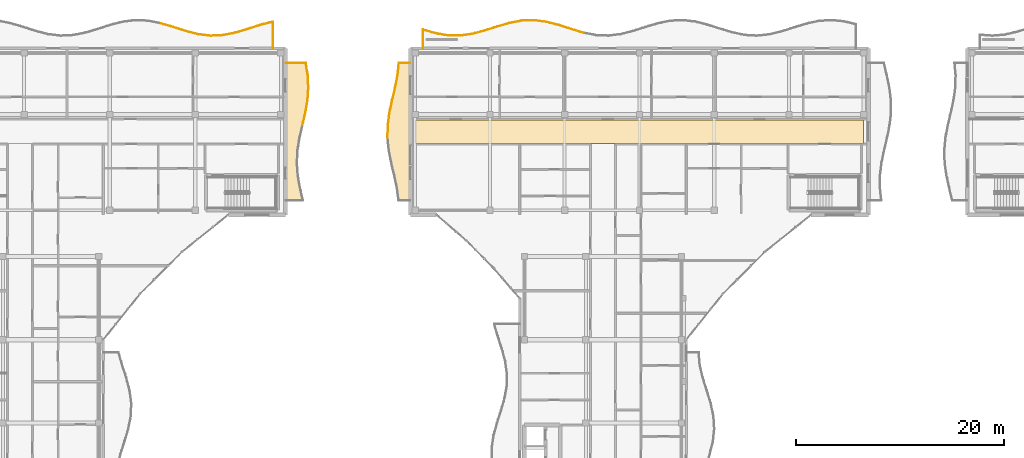
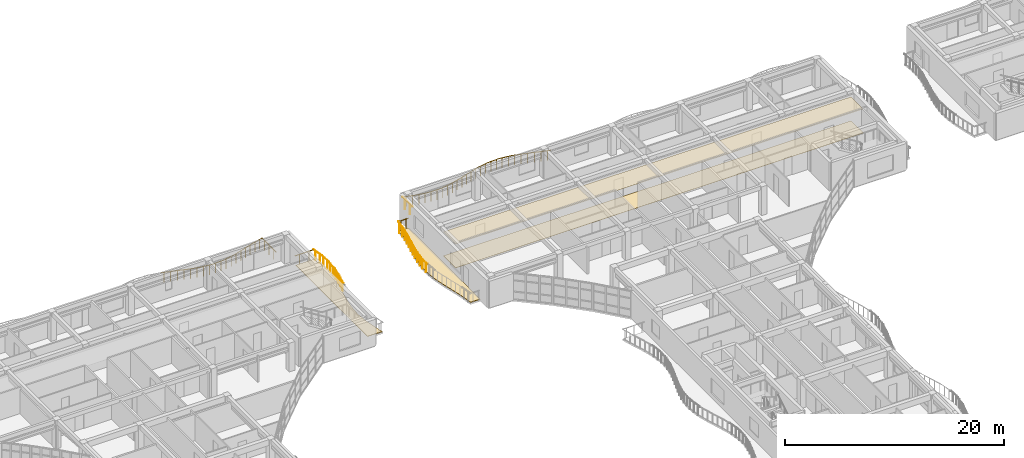
# One storey, part 71 of 79: 37 railings, 4 coverings.
"""IFC4 building model written with IfcOpenShell, lengths in metres."""

from ifc_helpers import new_model, si_unit, direction, frame, origin, origin_2d, place, context, subcontext, project, spatial, polyline, circle, outline, extrude, material, layer, layer_set, type_object, element, save


model = new_model("IFC4")

# Units and contexts
model_context = context("Model", 3, precision=1e-05, world=origin(), true_north=direction((0.0, 1.0)))
body_context = subcontext(model_context, "Body", "Model", "MODEL_VIEW")
ifc_project = project(units=[si_unit("LENGTHUNIT", "METRE"), si_unit("AREAUNIT", "SQUARE_METRE"), si_unit("VOLUMEUNIT", "CUBIC_METRE"), si_unit("PLANEANGLEUNIT", "RADIAN"), si_unit("MASSUNIT", "GRAM", prefix="KILO")], contexts=[model_context])

# Site, building, storey
site_placement = place(None, origin())
site = spatial("IfcSite", under=ifc_project, at=site_placement, CompositionType="ELEMENT")
building_placement = place(site_placement, origin())
building = spatial("IfcBuilding", under=site, at=building_placement, Name="Keldmere Railside Commons", CompositionType="ELEMENT")
storey_placement = place(building_placement, frame((0.0, 0.0, 10.56005859375)))
storey = spatial("IfcBuildingStorey", under=building, at=storey_placement, Name="L03", CompositionType="ELEMENT", Elevation=10.56005859375)

# Railings
ifc_material_1 = material(Name="Steel F-24 (S235)", Category="steel")
railing_type = type_object("IfcRailingType", Name="Balcony & Terrace Steel Balustrade 1100", PredefinedType="BALUSTRADE", material=ifc_material_1)
railing_1_placement = place(storey_placement, frame((69.5, 118.39892578125, 0.0)))
element("IfcRailing", 1, at=railing_1_placement, inside=storey, type_object=railing_type, Name="GR-1 GRD-L03-1073", PredefinedType="BALUSTRADE", context=body_context, shape_type="SweptSolid", body=[
    extrude(circle(Radius=0.02392578125, at=origin_2d()), frame((0.0, 0.0, 1.076171875), z_axis=(0.957692109251, -0.287794759992, 0.0), x_axis=(0.287794759992, 0.957692109251, 0.0)), (0.0, 0.0, 1.0), 1.2529296875),
    extrude(circle(Radius=0.02099609375, at=origin_2d()), frame((0.300048828125, -0.090087890625, 0.0)), (0.0, 0.0, 1.0), 1.048095703125),
    extrude(circle(Radius=0.02099609375, at=origin_2d()), frame((0.89990234375, -0.2705078125, 0.0)), (0.0, 0.0, 1.0), 1.048095703125),
])
railing_2_placement = place(storey_placement, frame((70.699951171875, 118.038330078125, 0.0)))
element("IfcRailing", 2, at=railing_2_placement, inside=storey, type_object=railing_type, Name="GR-1 GRD-L03-1074", PredefinedType="BALUSTRADE", context=body_context, shape_type="SweptSolid", body=[
    extrude(circle(Radius=0.02392578125, at=origin_2d()), frame((0.0, 0.0, 1.076171875), z_axis=(0.952356629388, -0.304986639808, 0.0), x_axis=(0.304986639808, 0.952356629388, 0.0)), (0.0, 0.0, 1.0), 1.260009765625),
    extrude(circle(Radius=0.02099609375, at=origin_2d()), frame((0.300048828125, -0.09619140625, 0.0)), (0.0, 0.0, 1.0), 1.048095703125),
    extrude(circle(Radius=0.02099609375, at=origin_2d()), frame((0.89990234375, -0.2880859375, 0.0)), (0.0, 0.0, 1.0), 1.048095703125),
])
railing_3_placement = place(storey_placement, frame((71.89990234375, 117.654052734375, 0.0)))
element("IfcRailing", 3, at=railing_3_placement, inside=storey, type_object=railing_type, Name="GR-1 GRD-L03-1075", PredefinedType="BALUSTRADE", context=body_context, shape_type="SweptSolid", body=[
    extrude(circle(Radius=0.02392578125, at=origin_2d()), frame((0.0, 0.0, 1.076171875), z_axis=(0.969207619801, -0.246244979075, 0.0), x_axis=(0.246244979075, 0.969207619801, 0.0)), (0.0, 0.0, 1.0), 1.23828125),
    extrude(circle(Radius=0.02099609375, at=origin_2d()), frame((0.300048828125, -0.076171875, 0.0)), (0.0, 0.0, 1.0), 1.048095703125),
    extrude(circle(Radius=0.02099609375, at=origin_2d()), frame((0.900146484375, -0.228759765625, 0.0)), (0.0, 0.0, 1.0), 1.048095703125),
])
railing_4_placement = place(storey_placement, frame((73.10009765625, 117.34912109375, 0.0)))
element("IfcRailing", 4, at=railing_4_placement, inside=storey, type_object=railing_type, Name="GR-1 GRD-L03-1076", PredefinedType="BALUSTRADE", context=body_context, shape_type="SweptSolid", body=[
    extrude(circle(Radius=0.02392578125, at=origin_2d()), frame((0.0, 0.0, 1.076171875), z_axis=(0.992872058306, -0.119185048708, 0.0), x_axis=(0.119185048708, 0.992872058306, 0.0)), (0.0, 0.0, 1.0), 1.20849609375),
    extrude(circle(Radius=0.02099609375, at=origin_2d()), frame((0.300048828125, -0.0361328125, 0.0)), (0.0, 0.0, 1.0), 1.048095703125),
    extrude(circle(Radius=0.02099609375, at=origin_2d()), frame((0.89990234375, -0.10791015625, 0.0)), (0.0, 0.0, 1.0), 1.048095703125),
])
railing_5_placement = place(storey_placement, frame((74.300048828125, 117.205078125, 0.0)))
element("IfcRailing", 5, at=railing_5_placement, inside=storey, type_object=railing_type, Name="GR-1 GRD-L03-1077", PredefinedType="BALUSTRADE", context=body_context, shape_type="SweptSolid", body=[
    extrude(circle(Radius=0.02392578125, at=origin_2d()), frame((0.0, 0.0, 1.076171875), z_axis=(0.998916353717, 0.046541575789, 0.0), x_axis=(-0.046541575789, 0.998916353717, 0.0)), (0.0, 0.0, 1.0), 1.201171875),
    extrude(circle(Radius=0.02099609375, at=origin_2d()), frame((0.300048828125, 0.013916015625, 0.0)), (0.0, 0.0, 1.0), 1.048095703125),
    extrude(circle(Radius=0.02099609375, at=origin_2d()), frame((0.89990234375, 0.0419921875, 0.0)), (0.0, 0.0, 1.0), 1.048095703125),
])
railing_6_placement = place(storey_placement, frame((75.5, 117.260986328125, 0.0)))
element("IfcRailing", 6, at=railing_6_placement, inside=storey, type_object=railing_type, Name="GR-1 GRD-L03-1078", PredefinedType="BALUSTRADE", context=body_context, shape_type="SweptSolid", body=[
    extrude(circle(Radius=0.02392578125, at=origin_2d()), frame((0.0, 0.0, 1.076171875), z_axis=(0.980542291551, 0.196307958268, 0.0), x_axis=(-0.196307958268, 0.980542291551, 0.0)), (0.0, 0.0, 1.0), 1.223876953125),
    extrude(circle(Radius=0.02099609375, at=origin_2d()), frame((0.300048828125, 0.06005859375, 0.0)), (0.0, 0.0, 1.0), 1.048095703125),
    extrude(circle(Radius=0.02099609375, at=origin_2d()), frame((0.89990234375, 0.18017578125, 0.0)), (0.0, 0.0, 1.0), 1.048095703125),
])
railing_7_placement = place(storey_placement, frame((76.699951171875, 117.501220703125, 0.0)))
element("IfcRailing", 7, at=railing_7_placement, inside=storey, type_object=railing_type, Name="GR-1 GRD-L03-1079", PredefinedType="BALUSTRADE", context=body_context, shape_type="SweptSolid", body=[
    extrude(circle(Radius=0.02392578125, at=origin_2d()), frame((0.0, 0.0, 1.076171875), z_axis=(0.957692109251, 0.287794759992, 0.0), x_axis=(-0.287794759992, 0.957692109251, 0.0)), (0.0, 0.0, 1.0), 1.2529296875),
    extrude(circle(Radius=0.02099609375, at=origin_2d()), frame((0.300048828125, 0.090087890625, 0.0)), (0.0, 0.0, 1.0), 1.048095703125),
    extrude(circle(Radius=0.02099609375, at=origin_2d()), frame((0.89990234375, 0.2705078125, 0.0)), (0.0, 0.0, 1.0), 1.048095703125),
])
railing_8_placement = place(storey_placement, frame((77.89990234375, 117.86181640625, 0.0)))
element("IfcRailing", 8, at=railing_8_placement, inside=storey, type_object=railing_type, Name="GR-1 GRD-L03-1080", PredefinedType="BALUSTRADE", context=body_context, shape_type="SweptSolid", body=[
    extrude(circle(Radius=0.02392578125, at=origin_2d()), frame((0.0, 0.0, 1.076171875), z_axis=(0.952430895565, 0.304754637657, 0.0), x_axis=(-0.304754637657, 0.952430895565, 0.0)), (0.0, 0.0, 1.0), 1.26025390625),
    extrude(circle(Radius=0.02099609375, at=origin_2d()), frame((0.300048828125, 0.095947265625, 0.0)), (0.0, 0.0, 1.0), 1.048095703125),
    extrude(circle(Radius=0.02099609375, at=origin_2d()), frame((0.900146484375, 0.2880859375, 0.0)), (0.0, 0.0, 1.0), 1.048095703125),
])
railing_9_placement = place(storey_placement, frame((79.10009765625, 118.245849609375, 0.0)))
element("IfcRailing", 9, at=railing_9_placement, inside=storey, type_object=railing_type, Name="GR-1 GRD-L03-1081", PredefinedType="BALUSTRADE", context=body_context, shape_type="SweptSolid", body=[
    extrude(circle(Radius=0.02392578125, at=origin_2d()), frame((0.0, 0.0, 1.076171875), z_axis=(0.969195661645, 0.246292040976, 0.0), x_axis=(-0.246292040976, 0.969195661645, 0.0)), (0.0, 0.0, 1.0), 1.238037109375),
    extrude(circle(Radius=0.02099609375, at=origin_2d()), frame((0.300048828125, 0.076171875, 0.0)), (0.0, 0.0, 1.0), 1.048095703125),
    extrude(circle(Radius=0.02099609375, at=origin_2d()), frame((0.89990234375, 0.228759765625, 0.0)), (0.0, 0.0, 1.0), 1.048095703125),
])
railing_10_placement = place(storey_placement, frame((80.300048828125, 118.55078125, 0.0)))
element("IfcRailing", 10, at=railing_10_placement, inside=storey, type_object=railing_type, Name="GR-1 GRD-L03-1082", PredefinedType="BALUSTRADE", context=body_context, shape_type="SweptSolid", body=[
    extrude(circle(Radius=0.02392578125, at=origin_2d()), frame((0.0, 0.0, 1.076171875), z_axis=(0.0, -1.0, 0.0), x_axis=(1.0, 0.0, 0.0)), (0.0, 0.0, 1.0), 2.55078125),
    extrude(circle(Radius=0.02099609375, at=origin_2d()), frame((0.0, -0.425048828125, 0.0)), (0.0, 0.0, 1.0), 1.048095703125),
    extrude(circle(Radius=0.02099609375, at=origin_2d()), frame((0.0, -1.275390625, 0.0)), (0.0, 0.0, 1.0), 1.048095703125),
    extrude(circle(Radius=0.02099609375, at=origin_2d()), frame((0.0, -2.125732421875, 0.0)), (0.0, 0.0, 1.0), 1.048095703125),
])
railing_11_placement = place(storey_placement, frame((83.127197265625, 108.60009765625, 0.0)))
element("IfcRailing", 11, at=railing_11_placement, inside=storey, type_object=railing_type, Name="GR-1 GRD-L03-1145", PredefinedType="BALUSTRADE", context=body_context, shape_type="SweptSolid", body=[
    extrude(circle(Radius=0.02392578125, at=origin_2d()), frame((0.0, 0.0, 1.076171875), z_axis=(0.225568789936, 0.974227243002, 0.0), x_axis=(-0.974227243002, 0.225568789936, 0.0)), (0.0, 0.0, 1.0), 1.231689453125),
    extrude(circle(Radius=0.02099609375, at=origin_2d()), frame((0.0693359375, 0.300048828125, 0.0)), (0.0, 0.0, 1.0), 1.048095703125),
    extrude(circle(Radius=0.02099609375, at=origin_2d()), frame((0.20849609375, 0.89990234375, 0.0)), (0.0, 0.0, 1.0), 1.048095703125),
])
railing_12_placement = place(storey_placement, frame((83.405029296875, 109.800048828125, 0.0)))
element("IfcRailing", 12, at=railing_12_placement, inside=storey, type_object=railing_type, Name="GR-1 GRD-L03-1146", PredefinedType="BALUSTRADE", context=body_context, shape_type="SweptSolid", body=[
    extrude(circle(Radius=0.02392578125, at=origin_2d()), frame((0.0, 0.0, 1.076171875), z_axis=(0.17196706336, 0.985102699783, 0.0), x_axis=(-0.985102699783, 0.17196706336, 0.0)), (0.0, 0.0, 1.0), 1.218017578125),
    extrude(circle(Radius=0.02099609375, at=origin_2d()), frame((0.05224609375, 0.300048828125, 0.0)), (0.0, 0.0, 1.0), 1.048095703125),
    extrude(circle(Radius=0.02099609375, at=origin_2d()), frame((0.1572265625, 0.89990234375, 0.0)), (0.0, 0.0, 1.0), 1.048095703125),
])
railing_13_placement = place(storey_placement, frame((83.614501953125, 111.0, 0.0)))
element("IfcRailing", 13, at=railing_13_placement, inside=storey, type_object=railing_type, Name="GR-1 GRD-L03-1147", PredefinedType="BALUSTRADE", context=body_context, shape_type="SweptSolid", body=[
    extrude(circle(Radius=0.02392578125, at=origin_2d()), frame((0.0, 0.0, 1.076171875), z_axis=(0.070626851772, 0.997502805915, 0.0), x_axis=(-0.997502805915, 0.070626851772, 0.0)), (0.0, 0.0, 1.0), 1.202880859375),
    extrude(circle(Radius=0.02099609375, at=origin_2d()), frame((0.021240234375, 0.300048828125, 0.0)), (0.0, 0.0, 1.0), 1.048095703125),
    extrude(circle(Radius=0.02099609375, at=origin_2d()), frame((0.063720703125, 0.89990234375, 0.0)), (0.0, 0.0, 1.0), 1.048095703125),
])
railing_14_placement = place(storey_placement, frame((83.699462890625, 112.199951171875, 0.0)))
element("IfcRailing", 14, at=railing_14_placement, inside=storey, type_object=railing_type, Name="GR-1 GRD-L03-1148", PredefinedType="BALUSTRADE", context=body_context, shape_type="SweptSolid", body=[
    extrude(circle(Radius=0.02392578125, at=origin_2d()), frame((0.0, 0.0, 1.076171875), z_axis=(-0.051812308094, 0.998656840326, 0.0), x_axis=(-0.998656840326, -0.051812308094, 0.0)), (0.0, 0.0, 1.0), 1.20166015625),
    extrude(circle(Radius=0.02099609375, at=origin_2d()), frame((-0.015625, 0.300048828125, 0.0)), (0.0, 0.0, 1.0), 1.048095703125),
    extrude(circle(Radius=0.02099609375, at=origin_2d()), frame((-0.046630859375, 0.89990234375, 0.0)), (0.0, 0.0, 1.0), 1.048095703125),
])
railing_15_placement = place(storey_placement, frame((83.63720703125, 113.39990234375, 0.0)))
element("IfcRailing", 15, at=railing_15_placement, inside=storey, type_object=railing_type, Name="GR-1 GRD-L03-1149", PredefinedType="BALUSTRADE", context=body_context, shape_type="SweptSolid", body=[
    extrude(circle(Radius=0.02392578125, at=origin_2d()), frame((0.0, 0.0, 1.076171875), z_axis=(-0.158468316837, 0.987364062825, 0.0), x_axis=(-0.987364062825, -0.158468316837, 0.0)), (0.0, 0.0, 1.0), 1.215576171875),
    extrude(circle(Radius=0.02099609375, at=origin_2d()), frame((-0.048095703125, 0.300048828125, 0.0)), (0.0, 0.0, 1.0), 1.048095703125),
    extrude(circle(Radius=0.02099609375, at=origin_2d()), frame((-0.14453125, 0.900146484375, 0.0)), (0.0, 0.0, 1.0), 1.048095703125),
])
railing_16_placement = place(storey_placement, frame((83.444580078125, 114.60009765625, 0.0)))
element("IfcRailing", 16, at=railing_16_placement, inside=storey, type_object=railing_type, Name="GR-1 GRD-L03-1150", PredefinedType="BALUSTRADE", context=body_context, shape_type="SweptSolid", body=[
    extrude(circle(Radius=0.02392578125, at=origin_2d()), frame((0.0, 0.0, 1.076171875), z_axis=(-1.0, 0.0, 0.0), x_axis=(0.0, -1.0, 0.0)), (0.0, 0.0, 1.0), 1.944580078125),
    extrude(circle(Radius=0.02099609375, at=origin_2d()), frame((-0.486083984375, 0.0, 0.0)), (0.0, 0.0, 1.0), 1.048095703125),
    extrude(circle(Radius=0.02099609375, at=origin_2d()), frame((-1.45849609375, 0.0, 0.0)), (0.0, 0.0, 1.0), 1.048095703125),
])
railing_17_placement = place(storey_placement, frame((94.699951171875, 116.0, 0.0)))
element("IfcRailing", 17, at=railing_17_placement, inside=storey, type_object=railing_type, Name="GR-1 GRD-L03-2106", PredefinedType="BALUSTRADE", context=body_context, shape_type="SweptSolid", body=[
    extrude(circle(Radius=0.02392578125, at=origin_2d()), frame((0.0, 0.0, 1.076171875), z_axis=(0.0, 1.0, 0.0), x_axis=(-1.0, 0.0, 0.0)), (0.0, 0.0, 1.0), 1.794921875),
    extrude(circle(Radius=0.02099609375, at=origin_2d()), frame((0.0, 0.44873046875, 0.0)), (0.0, 0.0, 1.0), 1.048095703125),
    extrude(circle(Radius=0.02099609375, at=origin_2d()), frame((0.0, 1.34619140625, 0.0)), (0.0, 0.0, 1.0), 1.048095703125),
])
railing_18_placement = place(storey_placement, frame((94.699951171875, 117.794921875, 0.0)))
element("IfcRailing", 18, at=railing_18_placement, inside=storey, type_object=railing_type, Name="GR-1 GRD-L03-2107", PredefinedType="BALUSTRADE", context=body_context, shape_type="SweptSolid", body=[
    extrude(circle(Radius=0.02392578125, at=origin_2d()), frame((0.0, 0.0, 1.076171875), z_axis=(0.96069313628, -0.277612495943, 0.0), x_axis=(0.277612495943, 0.96069313628, 0.0)), (0.0, 0.0, 1.0), 1.2373046875),
    extrude(circle(Radius=0.02099609375, at=origin_2d()), frame((0.297119140625, -0.0859375, 0.0)), (0.0, 0.0, 1.0), 1.048095703125),
    extrude(circle(Radius=0.02099609375, at=origin_2d()), frame((0.8916015625, -0.257568359375, 0.0)), (0.0, 0.0, 1.0), 1.048095703125),
])
railing_19_placement = place(storey_placement, frame((95.888671875, 117.451416015625, 0.0)))
element("IfcRailing", 19, at=railing_19_placement, inside=storey, type_object=railing_type, Name="GR-1 GRD-L03-2108", PredefinedType="BALUSTRADE", context=body_context, shape_type="SweptSolid", body=[
    extrude(circle(Radius=0.02392578125, at=origin_2d()), frame((0.0, 0.0, 1.076171875), z_axis=(0.984437572744, -0.175734644765, 0.0), x_axis=(0.175734644765, 0.984437572744, 0.0)), (0.0, 0.0, 1.0), 1.207275390625),
    extrude(circle(Radius=0.02099609375, at=origin_2d()), frame((0.297119140625, -0.052978515625, 0.0)), (0.0, 0.0, 1.0), 1.048095703125),
    extrude(circle(Radius=0.02099609375, at=origin_2d()), frame((0.891357421875, -0.1591796875, 0.0)), (0.0, 0.0, 1.0), 1.048095703125),
])
railing_20_placement = place(storey_placement, frame((97.0771484375, 117.2392578125, 0.0)))
element("IfcRailing", 20, at=railing_20_placement, inside=storey, type_object=railing_type, Name="GR-1 GRD-L03-2109", PredefinedType="BALUSTRADE", context=body_context, shape_type="SweptSolid", body=[
    extrude(circle(Radius=0.02392578125, at=origin_2d()), frame((0.0, 0.0, 1.076171875), z_axis=(0.999776232235, -0.021153852079, 0.0), x_axis=(0.021153852079, 0.999776232235, 0.0)), (0.0, 0.0, 1.0), 1.188720703125),
    extrude(circle(Radius=0.02099609375, at=origin_2d()), frame((0.297119140625, -0.00634765625, 0.0)), (0.0, 0.0, 1.0), 1.048095703125),
    extrude(circle(Radius=0.02099609375, at=origin_2d()), frame((0.891357421875, -0.018798828125, 0.0)), (0.0, 0.0, 1.0), 1.048095703125),
])
railing_21_placement = place(storey_placement, frame((98.265625, 117.214111328125, 0.0)))
element("IfcRailing", 21, at=railing_21_placement, inside=storey, type_object=railing_type, Name="GR-1 GRD-L03-2110", PredefinedType="BALUSTRADE", context=body_context, shape_type="SweptSolid", body=[
    extrude(circle(Radius=0.02392578125, at=origin_2d()), frame((0.0, 0.0, 1.076171875), z_axis=(0.990163906142, 0.139912254554, 0.0), x_axis=(-0.139912254554, 0.990163906142, 0.0)), (0.0, 0.0, 1.0), 1.200439453125),
    extrude(circle(Radius=0.02099609375, at=origin_2d()), frame((0.297119140625, 0.0419921875, 0.0)), (0.0, 0.0, 1.0), 1.048095703125),
    extrude(circle(Radius=0.02099609375, at=origin_2d()), frame((0.8916015625, 0.1259765625, 0.0)), (0.0, 0.0, 1.0), 1.048095703125),
])
railing_22_placement = place(storey_placement, frame((99.454345703125, 117.382080078125, 0.0)))
element("IfcRailing", 22, at=railing_22_placement, inside=storey, type_object=railing_type, Name="GR-1 GRD-L03-2111", PredefinedType="BALUSTRADE", context=body_context, shape_type="SweptSolid", body=[
    extrude(circle(Radius=0.02392578125, at=origin_2d()), frame((0.0, 0.0, 1.076171875), z_axis=(0.966093155598, 0.258193754197, 0.0), x_axis=(-0.258193754197, 0.966093155598, 0.0)), (0.0, 0.0, 1.0), 1.230224609375),
    extrude(circle(Radius=0.02099609375, at=origin_2d()), frame((0.297119140625, 0.079345703125, 0.0)), (0.0, 0.0, 1.0), 1.048095703125),
    extrude(circle(Radius=0.02099609375, at=origin_2d()), frame((0.891357421875, 0.23828125, 0.0)), (0.0, 0.0, 1.0), 1.048095703125),
])
railing_23_placement = place(storey_placement, frame((100.642822265625, 117.69970703125, 0.0)))
element("IfcRailing", 23, at=railing_23_placement, inside=storey, type_object=railing_type, Name="GR-1 GRD-L03-2112", PredefinedType="BALUSTRADE", context=body_context, shape_type="SweptSolid", body=[
    extrude(circle(Radius=0.02392578125, at=origin_2d()), frame((0.0, 0.0, 1.076171875), z_axis=(0.951727042699, 0.306945656746, 0.0), x_axis=(-0.306945656746, 0.951727042699, 0.0)), (0.0, 0.0, 1.0), 1.248779296875),
    extrude(circle(Radius=0.02099609375, at=origin_2d()), frame((0.297119140625, 0.095703125, 0.0)), (0.0, 0.0, 1.0), 1.048095703125),
    extrude(circle(Radius=0.02099609375, at=origin_2d()), frame((0.891357421875, 0.28759765625, 0.0)), (0.0, 0.0, 1.0), 1.048095703125),
])
railing_24_placement = place(storey_placement, frame((101.831298828125, 118.0830078125, 0.0)))
element("IfcRailing", 24, at=railing_24_placement, inside=storey, type_object=railing_type, Name="GR-1 GRD-L03-2113", PredefinedType="BALUSTRADE", context=body_context, shape_type="SweptSolid", body=[
    extrude(circle(Radius=0.02392578125, at=origin_2d()), frame((0.0, 0.0, 1.076171875), z_axis=(0.959634964057, 0.281248530234, 0.0), x_axis=(-0.281248530234, 0.959634964057, 0.0)), (0.0, 0.0, 1.0), 1.23876953125),
    extrude(circle(Radius=0.02099609375, at=origin_2d()), frame((0.297119140625, 0.087158203125, 0.0)), (0.0, 0.0, 1.0), 1.048095703125),
    extrude(circle(Radius=0.02099609375, at=origin_2d()), frame((0.8916015625, 0.26123046875, 0.0)), (0.0, 0.0, 1.0), 1.048095703125),
])
railing_25_placement = place(storey_placement, frame((103.02001953125, 118.431396484375, 0.0)))
element("IfcRailing", 25, at=railing_25_placement, inside=storey, type_object=railing_type, Name="GR-1 GRD-L03-2114", PredefinedType="BALUSTRADE", context=body_context, shape_type="SweptSolid", body=[
    extrude(circle(Radius=0.02392578125, at=origin_2d()), frame((0.0, 0.0, 1.076171875), z_axis=(0.983009076634, 0.18355695371, 0.0), x_axis=(-0.18355695371, 0.983009076634, 0.0)), (0.0, 0.0, 1.0), 1.208984375),
    extrude(circle(Radius=0.02099609375, at=origin_2d()), frame((0.297119140625, 0.055419921875, 0.0)), (0.0, 0.0, 1.0), 1.048095703125),
    extrude(circle(Radius=0.02099609375, at=origin_2d()), frame((0.891357421875, 0.16650390625, 0.0)), (0.0, 0.0, 1.0), 1.048095703125),
])
railing_26_placement = place(storey_placement, frame((104.20849609375, 118.6533203125, 0.0)))
element("IfcRailing", 26, at=railing_26_placement, inside=storey, type_object=railing_type, Name="GR-1 GRD-L03-2115", PredefinedType="BALUSTRADE", context=body_context, shape_type="SweptSolid", body=[
    extrude(circle(Radius=0.02392578125, at=origin_2d()), frame((0.0, 0.0, 1.076171875), z_axis=(0.999525797355, 0.030792538427, 0.0), x_axis=(-0.030792538427, 0.999525797355, 0.0)), (0.0, 0.0, 1.0), 1.189208984375),
    extrude(circle(Radius=0.02099609375, at=origin_2d()), frame((0.297119140625, 0.00927734375, 0.0)), (0.0, 0.0, 1.0), 1.048095703125),
    extrude(circle(Radius=0.02099609375, at=origin_2d()), frame((0.8916015625, 0.02734375, 0.0)), (0.0, 0.0, 1.0), 1.048095703125),
])
railing_27_placement = place(storey_placement, frame((105.397216796875, 118.68994140625, 0.0)))
element("IfcRailing", 27, at=railing_27_placement, inside=storey, type_object=railing_type, Name="GR-1 GRD-L03-2116", PredefinedType="BALUSTRADE", context=body_context, shape_type="SweptSolid", body=[
    extrude(circle(Radius=0.02392578125, at=origin_2d()), frame((0.0, 0.0, 1.076171875), z_axis=(0.991309521653, -0.131550113186, 0.0), x_axis=(0.131550113186, 0.991309521653, 0.0)), (0.0, 0.0, 1.0), 1.198974609375),
    extrude(circle(Radius=0.02099609375, at=origin_2d()), frame((0.297119140625, -0.03955078125, 0.0)), (0.0, 0.0, 1.0), 1.048095703125),
    extrude(circle(Radius=0.02099609375, at=origin_2d()), frame((0.891357421875, -0.1181640625, 0.0)), (0.0, 0.0, 1.0), 1.048095703125),
])
railing_28_placement = place(storey_placement, frame((106.585693359375, 118.5322265625, 0.0)))
element("IfcRailing", 28, at=railing_28_placement, inside=storey, type_object=railing_type, Name="GR-1 GRD-L03-2117", PredefinedType="BALUSTRADE", context=body_context, shape_type="SweptSolid", body=[
    extrude(circle(Radius=0.02392578125, at=origin_2d()), frame((0.0, 0.0, 1.076171875), z_axis=(0.9674313303, -0.253133603369, 0.0), x_axis=(0.253133603369, 0.9674313303, 0.0)), (0.0, 0.0, 1.0), 1.228759765625),
    extrude(circle(Radius=0.02099609375, at=origin_2d()), frame((0.297119140625, -0.07763671875, 0.0)), (0.0, 0.0, 1.0), 1.048095703125),
    extrude(circle(Radius=0.02099609375, at=origin_2d()), frame((0.8916015625, -0.2333984375, 0.0)), (0.0, 0.0, 1.0), 1.048095703125),
])
railing_29_placement = place(storey_placement, frame((107.7744140625, 118.22119140625, 0.0)))
element("IfcRailing", 29, at=railing_29_placement, inside=storey, type_object=railing_type, Name="GR-1 GRD-L03-2118", PredefinedType="BALUSTRADE", context=body_context, shape_type="SweptSolid", body=[
    extrude(circle(Radius=0.02392578125, at=origin_2d()), frame((0.0, 0.0, 1.076171875), z_axis=(0.952012281664, -0.306059823501, 0.0), x_axis=(0.306059823501, 0.952012281664, 0.0)), (0.0, 0.0, 1.0), 1.248291015625),
    extrude(circle(Radius=0.02099609375, at=origin_2d()), frame((0.297119140625, -0.095458984375, 0.0)), (0.0, 0.0, 1.0), 1.048095703125),
    extrude(circle(Radius=0.02099609375, at=origin_2d()), frame((0.891357421875, -0.28662109375, 0.0)), (0.0, 0.0, 1.0), 1.048095703125),
])
railing_30_placement = place(storey_placement, frame((108.962890625, 117.839111328125, 0.0)))
element("IfcRailing", 30, at=railing_30_placement, inside=storey, type_object=railing_type, Name="GR-1 GRD-L03-2119", PredefinedType="BALUSTRADE", context=body_context, shape_type="SweptSolid", body=[
    extrude(circle(Radius=0.02392578125, at=origin_2d()), frame((0.0, 0.0, 1.076171875), z_axis=(0.958549438436, -0.284926260768, 0.0), x_axis=(0.284926260768, 0.958549438436, 0.0)), (0.0, 0.0, 1.0), 1.239990234375),
    extrude(circle(Radius=0.02099609375, at=origin_2d()), frame((0.297119140625, -0.08837890625, 0.0)), (0.0, 0.0, 1.0), 1.048095703125),
    extrude(circle(Radius=0.02099609375, at=origin_2d()), frame((0.891357421875, -0.264892578125, 0.0)), (0.0, 0.0, 1.0), 1.048095703125),
])
railing_31_placement = place(storey_placement, frame((91.3095703125, 107.39990234375, 0.0)))
element("IfcRailing", 31, at=railing_31_placement, inside=storey, type_object=railing_type, Name="GR-1 GRD-L03-2217", PredefinedType="BALUSTRADE", context=body_context, shape_type="SweptSolid", body=[
    extrude(circle(Radius=0.02392578125, at=origin_2d()), frame((0.0, 0.0, 1.076171875), z_axis=(0.01789786497, 0.999839820386, 0.0), x_axis=(-0.999839820386, 0.01789786497, 0.0)), (0.0, 0.0, 1.0), 1.200439453125),
    extrude(circle(Radius=0.02099609375, at=origin_2d()), frame((0.00537109375, 0.300048828125, 0.0)), (0.0, 0.0, 1.0), 1.048095703125),
    extrude(circle(Radius=0.02099609375, at=origin_2d()), frame((0.01611328125, 0.900146484375, 0.0)), (0.0, 0.0, 1.0), 1.048095703125),
])
railing_32_placement = place(storey_placement, frame((91.3310546875, 108.60009765625, 0.0)))
element("IfcRailing", 32, at=railing_32_placement, inside=storey, type_object=railing_type, Name="GR-1 GRD-L03-2218", PredefinedType="BALUSTRADE", context=body_context, shape_type="SweptSolid", body=[
    extrude(circle(Radius=0.02392578125, at=origin_2d()), frame((0.0, 0.0, 1.076171875), z_axis=(0.13269206728, 0.991157311067, 0.0), x_axis=(-0.991157311067, 0.13269206728, 0.0)), (0.0, 0.0, 1.0), 1.210693359375),
    extrude(circle(Radius=0.02099609375, at=origin_2d()), frame((0.0400390625, 0.300048828125, 0.0)), (0.0, 0.0, 1.0), 1.048095703125),
    extrude(circle(Radius=0.02099609375, at=origin_2d()), frame((0.12060546875, 0.89990234375, 0.0)), (0.0, 0.0, 1.0), 1.048095703125),
])
railing_33_placement = place(storey_placement, frame((91.49169921875, 109.800048828125, 0.0)))
element("IfcRailing", 33, at=railing_33_placement, inside=storey, type_object=railing_type, Name="GR-1 GRD-L03-2219", PredefinedType="BALUSTRADE", context=body_context, shape_type="SweptSolid", body=[
    extrude(circle(Radius=0.02392578125, at=origin_2d()), frame((0.0, 0.0, 1.076171875), z_axis=(0.20910785461, 0.977892583641, 0.0), x_axis=(-0.977892583641, 0.20910785461, 0.0)), (0.0, 0.0, 1.0), 1.22705078125),
    extrude(circle(Radius=0.02099609375, at=origin_2d()), frame((0.064208984375, 0.300048828125, 0.0)), (0.0, 0.0, 1.0), 1.048095703125),
    extrude(circle(Radius=0.02099609375, at=origin_2d()), frame((0.1923828125, 0.89990234375, 0.0)), (0.0, 0.0, 1.0), 1.048095703125),
])
railing_34_placement = place(storey_placement, frame((91.748291015625, 111.0, 0.0)))
element("IfcRailing", 34, at=railing_34_placement, inside=storey, type_object=railing_type, Name="GR-1 GRD-L03-2220", PredefinedType="BALUSTRADE", context=body_context, shape_type="SweptSolid", body=[
    extrude(circle(Radius=0.02392578125, at=origin_2d()), frame((0.0, 0.0, 1.076171875), z_axis=(0.230264103004, 0.973128173915, 0.0), x_axis=(-0.973128173915, 0.230264103004, 0.0)), (0.0, 0.0, 1.0), 1.233154296875),
    extrude(circle(Radius=0.02099609375, at=origin_2d()), frame((0.071044921875, 0.300048828125, 0.0)), (0.0, 0.0, 1.0), 1.048095703125),
    extrude(circle(Radius=0.02099609375, at=origin_2d()), frame((0.212890625, 0.89990234375, 0.0)), (0.0, 0.0, 1.0), 1.048095703125),
])
railing_35_placement = place(storey_placement, frame((92.0322265625, 112.199951171875, 0.0)))
element("IfcRailing", 35, at=railing_35_placement, inside=storey, type_object=railing_type, Name="GR-1 GRD-L03-2221", PredefinedType="BALUSTRADE", context=body_context, shape_type="SweptSolid", body=[
    extrude(circle(Radius=0.02392578125, at=origin_2d()), frame((0.0, 0.0, 1.076171875), z_axis=(0.192082676456, 0.981378747174, 0.0), x_axis=(-0.981378747174, 0.192082676456, 0.0)), (0.0, 0.0, 1.0), 1.22265625),
    extrude(circle(Radius=0.02099609375, at=origin_2d()), frame((0.05859375, 0.300048828125, 0.0)), (0.0, 0.0, 1.0), 1.048095703125),
    extrude(circle(Radius=0.02099609375, at=origin_2d()), frame((0.17626953125, 0.89990234375, 0.0)), (0.0, 0.0, 1.0), 1.048095703125),
])
railing_36_placement = place(storey_placement, frame((92.26708984375, 113.39990234375, 0.0)))
element("IfcRailing", 36, at=railing_36_placement, inside=storey, type_object=railing_type, Name="GR-1 GRD-L03-2222", PredefinedType="BALUSTRADE", context=body_context, shape_type="SweptSolid", body=[
    extrude(circle(Radius=0.02392578125, at=origin_2d()), frame((0.0, 0.0, 1.076171875), z_axis=(0.10218803415, 0.994765100753, 0.0), x_axis=(-0.994765100753, 0.10218803415, 0.0)), (0.0, 0.0, 1.0), 1.20654296875),
    extrude(circle(Radius=0.02099609375, at=origin_2d()), frame((0.03076171875, 0.300048828125, 0.0)), (0.0, 0.0, 1.0), 1.048095703125),
    extrude(circle(Radius=0.02099609375, at=origin_2d()), frame((0.092529296875, 0.900146484375, 0.0)), (0.0, 0.0, 1.0), 1.048095703125),
])
railing_37_placement = place(storey_placement, frame((92.390380859375, 114.60009765625, 0.0)))
element("IfcRailing", 37, at=railing_37_placement, inside=storey, type_object=railing_type, Name="GR-1 GRD-L03-2223", PredefinedType="BALUSTRADE", context=body_context, shape_type="SweptSolid", body=[
    extrude(circle(Radius=0.02392578125, at=origin_2d()), frame((0.0, 0.0, 1.076171875), z_axis=(1.0, 0.0, 0.0), x_axis=(0.0, 1.0, 0.0)), (0.0, 0.0, 1.0), 1.109619140625),
    extrude(circle(Radius=0.02099609375, at=origin_2d()), frame((0.27734375, 0.0, 0.0)), (0.0, 0.0, 1.0), 1.048095703125),
    extrude(circle(Radius=0.02099609375, at=origin_2d()), frame((0.832275390625, 0.0, 0.0)), (0.0, 0.0, 1.0), 1.048095703125),
])

# Coverings
ifc_material_2 = material(Name="Polished Terrazzo Tile Flooring", Category="concrete")
ifc_layer_1 = layer(ifc_material_2, 0.030029296875, Name="Polished Terrazzo Floor Finish 30")
ifc_layer_set_1 = layer_set([ifc_layer_1], Name="Polished Terrazzo Tile Flooring")
covering_type_1 = type_object("IfcCoveringType", Name="Polished Terrazzo Floor Finish 30", PredefinedType="FLOORING", material=ifc_layer_set_1)
covering_1_placement = place(storey_placement, origin())
element("IfcCovering", 38, at=covering_1_placement, inside=storey, type_object=covering_type_1, Name="FLR-1 Corridor Terrazzo B-L03", PredefinedType="FLOORING", context=body_context, shape_type="SweptSolid", body=[
    extrude(outline(polyline([(93.97998046875, 106.8798828125), (137.02001953125, 106.8798828125), (137.02001953125, 109.1201171875), (93.97998046875, 109.1201171875), (93.97998046875, 106.8798828125)])), origin(), (0.0, 0.0, 1.0), 0.030029296875),
])
ifc_material_3 = material(Name="Acoustic Mineral-Fibre Gypsum Ceiling", Category="gypsum")
ifc_layer_2 = layer(ifc_material_3, 0.02490234375, Name="Suspended Acoustic Ceiling 25")
ifc_layer_set_2 = layer_set([ifc_layer_2], Name="Acoustic Mineral-Fibre Gypsum Ceiling")
covering_type_2 = type_object("IfcCoveringType", Name="Suspended Acoustic Ceiling 25", PredefinedType="CEILING", material=ifc_layer_set_2)
covering_2_placement = place(storey_placement, frame((0.0, 0.0, 2.675048828125)))
element("IfcCovering", 39, at=covering_2_placement, inside=storey, type_object=covering_type_2, Name="CLG-1 Corridor Ceiling B-L03", PredefinedType="CEILING", context=body_context, shape_type="SweptSolid", body=[
    extrude(outline(polyline([(93.97998046875, 106.8798828125), (137.02001953125, 106.8798828125), (137.02001953125, 109.1201171875), (93.97998046875, 109.1201171875), (93.97998046875, 106.8798828125)])), origin(), (0.0, 0.0, 1.0), 0.02490234375),
])
ifc_material_4 = material(Name="White Precast Concrete C35/45", Category="concrete")
ifc_layer_3 = layer(ifc_material_4, 0.044921875, Name="White Architectural Balcony Ribbon Cladding 45")
ifc_layer_set_3 = layer_set([ifc_layer_3], Name="White Precast Concrete C35/45")
covering_type_3 = type_object("IfcCoveringType", Name="White Architectural Balcony Ribbon Cladding 45", PredefinedType="FLOORING", material=ifc_layer_set_3)
covering_3_placement = place(storey_placement, origin())
element("IfcCovering", 40, at=covering_3_placement, inside=storey, type_object=covering_type_3, Name="CLG-WB C L03 WE White Balcony Ribbon", PredefinedType="FLOORING", context=body_context, shape_type="SweptSolid", body=[
    extrude(outline(polyline([(82.85595703125, 102.591064453125), (82.855712890625, 102.593017578125), (82.64599609375, 103.793212890625), (82.6455078125, 103.797119140625), (82.560546875, 104.997314453125), (82.560546875, 105.002197265625), (82.622802734375, 106.2021484375), (82.623291015625, 106.206298828125), (82.81591796875, 107.40625), (82.81640625, 107.40869140625), (83.088134765625, 108.60888671875), (83.088134765625, 108.60888671875), (83.36572265625, 109.80810546875), (83.57470703125, 111.0048828125), (83.659423828125, 112.200439453125), (83.597412109375, 113.395751953125), (83.410400390625, 114.56005859375), (81.5400390625, 114.56005859375), (81.5400390625, 101.43994140625), (83.12255859375, 101.43994140625), (82.85595703125, 102.591064453125)])), origin(), (0.0, 0.0, 1.0), 0.044921875),
])
covering_4_placement = place(storey_placement, origin())
element("IfcCovering", 41, at=covering_4_placement, inside=storey, type_object=covering_type_3, Name="CLG-WB B L03 WW White Balcony Ribbon", PredefinedType="FLOORING", context=body_context, shape_type="SweptSolid", body=[
    extrude(outline(polyline([(93.4599609375, 114.56005859375), (92.426513671875, 114.56005859375), (92.306884765625, 113.39599609375), (92.306396484375, 113.392333984375), (92.071533203125, 112.1923828125), (92.071044921875, 112.19091796875), (91.787353515625, 110.9912109375), (91.531005859375, 109.793212890625), (91.37109375, 108.596923828125), (91.349609375, 107.401611328125), (91.472412109375, 106.205810546875), (91.706787109375, 105.008544921875), (91.990478515625, 103.80908203125), (91.99072265625, 103.808349609375), (92.247314453125, 102.6083984375), (92.247802734375, 102.605224609375), (92.404052734375, 101.43994140625), (93.4599609375, 101.43994140625), (93.4599609375, 114.56005859375)])), origin(), (0.0, 0.0, 1.0), 0.044921875),
])

save(model, "model.ifc")
